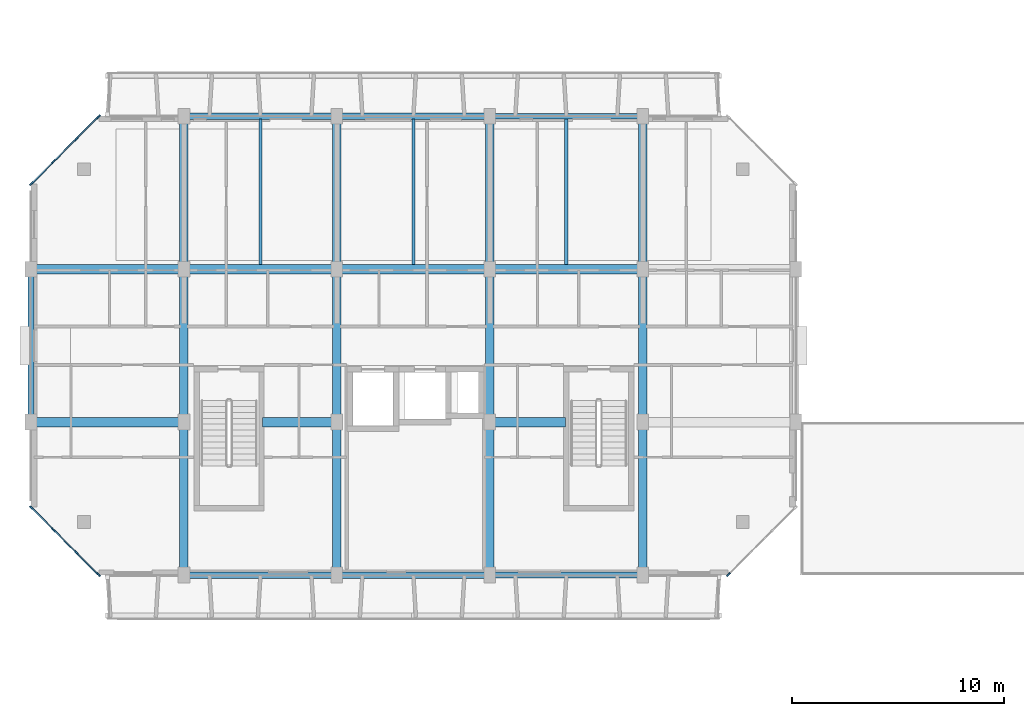
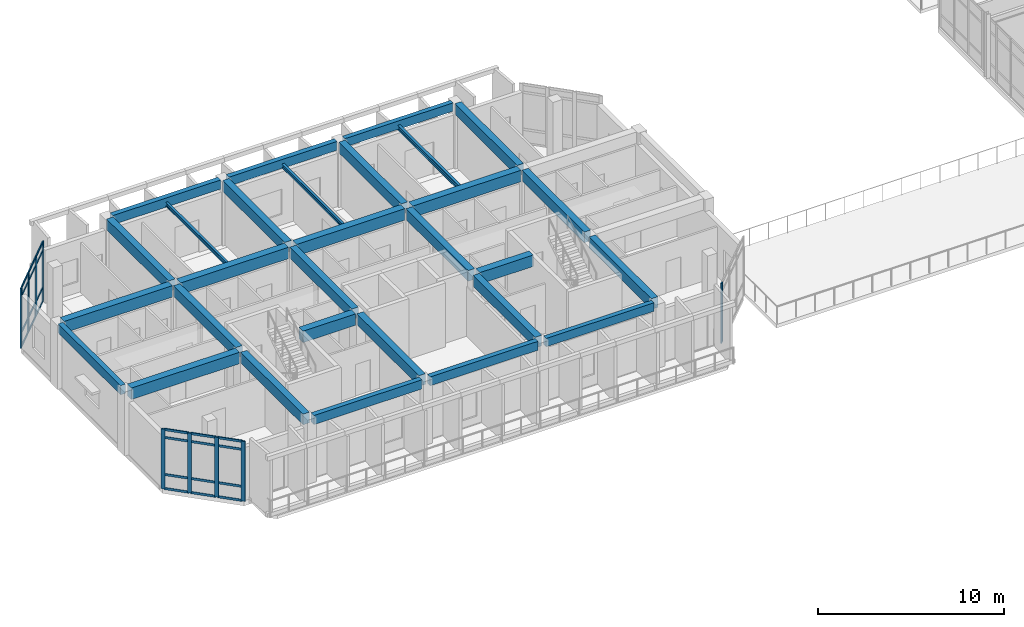
# One storey, part 26 of 85: 33 members, 29 beams, 3 elements without a shape of their own.
"""IFC4 building model written with IfcOpenShell, lengths in metres."""

from ifc_helpers import new_model, si_unit, direction, frame, origin, origin_2d, place, context, subcontext, project, spatial, rectangle, i_section, extrude, material, layer, layer_set, material_profile, profile_set, type_object, element, aggregate, save


model = new_model("IFC4")

# Units and contexts
model_context = context("Model", 3, precision=1e-05, world=origin(), true_north=direction((0.0, 1.0)))
body_context = subcontext(model_context, "Body", "Model", "MODEL_VIEW")
ifc_project = project(units=[si_unit("LENGTHUNIT", "METRE"), si_unit("AREAUNIT", "SQUARE_METRE"), si_unit("VOLUMEUNIT", "CUBIC_METRE"), si_unit("PLANEANGLEUNIT", "RADIAN"), si_unit("MASSUNIT", "GRAM", prefix="KILO")], contexts=[model_context])

# Site, building, storey
site_placement = place(None, origin())
site = spatial("IfcSite", under=ifc_project, at=site_placement, CompositionType="ELEMENT")
building_placement = place(site_placement, origin())
building = spatial("IfcBuilding", under=site, at=building_placement, Name="Ochrevale Crest", CompositionType="ELEMENT")
storey_placement = place(building_placement, frame((0.0, 0.0, 4.5)))
storey = spatial("IfcBuildingStorey", under=building, at=storey_placement, Name="L01", CompositionType="ELEMENT", Elevation=4.5)

# Beams
ifc_material_1 = material(Name="Precast concrete C50/60", Category="concrete")
ifc_material_profile_1 = material_profile(ifc_material_1, rectangle(XDim=0.39990234375, YDim=0.699951171875, at=origin_2d()), Name="PC 400x700")
ifc_profile_set_1 = profile_set([ifc_material_profile_1], Name="Precast concrete C50/60")
beam_type_1 = type_object("IfcBeamType", Name="BM-PC400x700", PredefinedType="BEAM", material=ifc_profile_set_1)
beam_1_placement = place(storey_placement, frame((7.199951171875, 72.2548828125, 3.85009765625), z_axis=(0.0, 1.0, 0.0), x_axis=(-1.0, 0.0, 0.0)))
element("IfcBeam", 1, at=beam_1_placement, inside=storey, type_object=beam_type_1, Name="Block B L01 N-S beam X=7.2", PredefinedType="BEAM", context=body_context, shape_type="SweptSolid", body=[
    extrude(rectangle(XDim=0.39990234375, YDim=0.699951171875, at=origin_2d()), origin(), (0.0, 0.0, 1.0), 6.690185546875),
])
for number, where, z_axis, x_axis, name in (
    (2, (7.199951171875, 79.455078125, 3.85009765625), (0.0, 1.0, 0.0), (-1.0, 0.0, 0.0), "Block B L01 N-S beam X=7.2"),
    (3, (7.199951171875, 86.655029296875, 3.85009765625), (0.0, 1.0, 0.0), (-1.0, 0.0, 0.0), "Block B L01 N-S beam X=7.2"),
):
    element("IfcBeam", number, at=place(storey_placement, frame(where, z_axis=z_axis, x_axis=x_axis)), inside=storey, type_object=beam_type_1, Name=name, PredefinedType="BEAM", context=body_context, shape_type="SweptSolid", body=[
        extrude(rectangle(XDim=0.39990234375, YDim=0.699951171875, at=origin_2d()), origin(), (0.0, 0.0, 1.0), 6.68994140625),
    ])
beam_2_placement = place(storey_placement, frame((14.39990234375, 72.2548828125, 3.85009765625), z_axis=(0.0, 1.0, 0.0), x_axis=(-1.0, 0.0, 0.0)))
element("IfcBeam", 4, at=beam_2_placement, inside=storey, type_object=beam_type_1, Name="Block B L01 N-S beam X=14.4", PredefinedType="BEAM", context=body_context, shape_type="SweptSolid", body=[
    extrude(rectangle(XDim=0.39990234375, YDim=0.699951171875, at=origin_2d()), origin(), (0.0, 0.0, 1.0), 6.690185546875),
])
for number, where, z_axis, x_axis, name in (
    (5, (14.39990234375, 79.455078125, 3.85009765625), (0.0, 1.0, 0.0), (-1.0, 0.0, 0.0), "Block B L01 N-S beam X=14.4"),
    (6, (14.39990234375, 86.655029296875, 3.85009765625), (0.0, 1.0, 0.0), (-1.0, 0.0, 0.0), "Block B L01 N-S beam X=14.4"),
):
    element("IfcBeam", number, at=place(storey_placement, frame(where, z_axis=z_axis, x_axis=x_axis)), inside=storey, type_object=beam_type_1, Name=name, PredefinedType="BEAM", context=body_context, shape_type="SweptSolid", body=[
        extrude(rectangle(XDim=0.39990234375, YDim=0.699951171875, at=origin_2d()), origin(), (0.0, 0.0, 1.0), 6.68994140625),
    ])
beam_3_placement = place(storey_placement, frame((21.60009765625, 72.2548828125, 3.85009765625), z_axis=(0.0, 1.0, 0.0), x_axis=(-1.0, 0.0, 0.0)))
element("IfcBeam", 7, at=beam_3_placement, inside=storey, type_object=beam_type_1, Name="Block B L01 N-S beam X=21.6", PredefinedType="BEAM", context=body_context, shape_type="SweptSolid", body=[
    extrude(rectangle(XDim=0.39990234375, YDim=0.699951171875, at=origin_2d()), origin(), (0.0, 0.0, 1.0), 6.690185546875),
])
for number, where, z_axis, x_axis, name in (
    (8, (21.60009765625, 79.455078125, 3.85009765625), (0.0, 1.0, 0.0), (-1.0, 0.0, 0.0), "Block B L01 N-S beam X=21.6"),
    (9, (21.60009765625, 86.655029296875, 3.85009765625), (0.0, 1.0, 0.0), (-1.0, 0.0, 0.0), "Block B L01 N-S beam X=21.6"),
):
    element("IfcBeam", number, at=place(storey_placement, frame(where, z_axis=z_axis, x_axis=x_axis)), inside=storey, type_object=beam_type_1, Name=name, PredefinedType="BEAM", context=body_context, shape_type="SweptSolid", body=[
        extrude(rectangle(XDim=0.39990234375, YDim=0.699951171875, at=origin_2d()), origin(), (0.0, 0.0, 1.0), 6.68994140625),
    ])
beam_4_placement = place(storey_placement, frame((28.800048828125, 72.2548828125, 3.85009765625), z_axis=(0.0, 1.0, 0.0), x_axis=(-1.0, 0.0, 0.0)))
element("IfcBeam", 10, at=beam_4_placement, inside=storey, type_object=beam_type_1, Name="Block B L01 N-S beam X=28.8", PredefinedType="BEAM", context=body_context, shape_type="SweptSolid", body=[
    extrude(rectangle(XDim=0.39990234375, YDim=0.699951171875, at=origin_2d()), origin(), (0.0, 0.0, 1.0), 6.690185546875),
])
for number, where, z_axis, x_axis, name in (
    (11, (28.800048828125, 79.455078125, 3.85009765625), (0.0, 1.0, 0.0), (-1.0, 0.0, 0.0), "Block B L01 N-S beam X=28.8"),
    (12, (28.800048828125, 86.655029296875, 3.85009765625), (0.0, 1.0, 0.0), (-1.0, 0.0, 0.0), "Block B L01 N-S beam X=28.8"),
):
    element("IfcBeam", number, at=place(storey_placement, frame(where, z_axis=z_axis, x_axis=x_axis)), inside=storey, type_object=beam_type_1, Name=name, PredefinedType="BEAM", context=body_context, shape_type="SweptSolid", body=[
        extrude(rectangle(XDim=0.39990234375, YDim=0.699951171875, at=origin_2d()), origin(), (0.0, 0.0, 1.0), 6.68994140625),
    ])
ifc_material_2 = material(Name="Concrete C50/60", Category="concrete")
ifc_material_profile_2 = material_profile(ifc_material_2, rectangle(XDim=0.449951171875, YDim=0.75, at=origin_2d()), Name="RC 450x750")
ifc_profile_set_2 = profile_set([ifc_material_profile_2], Name="Concrete C50/60")
beam_type_2 = type_object("IfcBeamType", Name="BM-PG450x750", PredefinedType="USERDEFINED", material=ifc_profile_set_2)
beam_5_placement = place(storey_placement, frame((0.25, 79.199951171875, 3.824951171875), z_axis=(1.0, 0.0, 0.0), x_axis=(0.0, 1.0, 0.0)))
element("IfcBeam", 13, at=beam_5_placement, inside=storey, type_object=beam_type_2, Name="Block B L01 E-W beam Y=79.2", ObjectType="GIRDER", PredefinedType="USERDEFINED", context=body_context, shape_type="SweptSolid", body=[
    extrude(rectangle(XDim=0.449951171875, YDim=0.75, at=origin_2d()), origin(), (0.0, 0.0, 1.0), 6.699951171875),
])
beam_6_placement = place(storey_placement, frame((10.889892578125, 79.199951171875, 3.824951171875), z_axis=(1.0, 0.0, 0.0), x_axis=(0.0, 1.0, 0.0)))
element("IfcBeam", 14, at=beam_6_placement, inside=storey, type_object=beam_type_2, Name="Block B L01 E-W beam Y=79.2", ObjectType="GIRDER", PredefinedType="USERDEFINED", context=body_context, shape_type="SweptSolid", body=[
    extrude(rectangle(XDim=0.449951171875, YDim=0.75, at=origin_2d()), origin(), (0.0, 0.0, 1.0), 3.260009765625),
])
beam_7_placement = place(storey_placement, frame((21.85009765625, 79.199951171875, 3.824951171875), z_axis=(1.0, 0.0, 0.0), x_axis=(0.0, 1.0, 0.0)))
element("IfcBeam", 15, at=beam_7_placement, inside=storey, type_object=beam_type_2, Name="Block B L01 E-W beam Y=79.2", ObjectType="GIRDER", PredefinedType="USERDEFINED", context=body_context, shape_type="SweptSolid", body=[
    extrude(rectangle(XDim=0.449951171875, YDim=0.75, at=origin_2d()), origin(), (0.0, 0.0, 1.0), 3.309814453125),
])
for number, where, z_axis, x_axis, name in (
    (16, (0.25, 86.39990234375, 3.824951171875), (1.0, 0.0, 0.0), (0.0, 1.0, 0.0), "Block B L01 E-W beam Y=86.4"),
    (17, (7.449951171875, 86.39990234375, 3.824951171875), (1.0, 0.0, 0.0), (0.0, 1.0, 0.0), "Block B L01 E-W beam Y=86.4"),
):
    element("IfcBeam", number, at=place(storey_placement, frame(where, z_axis=z_axis, x_axis=x_axis)), inside=storey, type_object=beam_type_2, Name=name, ObjectType="GIRDER", PredefinedType="USERDEFINED", context=body_context, shape_type="SweptSolid", body=[
        extrude(rectangle(XDim=0.449951171875, YDim=0.75, at=origin_2d()), origin(), (0.0, 0.0, 1.0), 6.699951171875),
    ])
beam_8_placement = place(storey_placement, frame((14.64990234375, 86.39990234375, 3.824951171875), z_axis=(1.0, 0.0, 0.0), x_axis=(0.0, 1.0, 0.0)))
element("IfcBeam", 18, at=beam_8_placement, inside=storey, type_object=beam_type_2, Name="Block B L01 E-W beam Y=86.4", ObjectType="GIRDER", PredefinedType="USERDEFINED", context=body_context, shape_type="SweptSolid", body=[
    extrude(rectangle(XDim=0.449951171875, YDim=0.75, at=origin_2d()), origin(), (0.0, 0.0, 1.0), 6.7001953125),
])
beam_9_placement = place(storey_placement, frame((21.85009765625, 86.39990234375, 3.824951171875), z_axis=(1.0, 0.0, 0.0), x_axis=(0.0, 1.0, 0.0)))
element("IfcBeam", 19, at=beam_9_placement, inside=storey, type_object=beam_type_2, Name="Block B L01 E-W beam Y=86.4", ObjectType="GIRDER", PredefinedType="USERDEFINED", context=body_context, shape_type="SweptSolid", body=[
    extrude(rectangle(XDim=0.449951171875, YDim=0.75, at=origin_2d()), origin(), (0.0, 0.0, 1.0), 6.699951171875),
])
ifc_material_3 = material(Name="Precast concrete C40/50", Category="concrete")
ifc_material_profile_3 = material_profile(ifc_material_3, rectangle(XDim=0.280029296875, YDim=0.550048828125, at=origin_2d()), Name="PC 280x550")
ifc_profile_set_3 = profile_set([ifc_material_profile_3], Name="Precast concrete C40/50")
beam_type_3 = type_object("IfcBeamType", Name="BM-SP280x550", PredefinedType="SPANDREL", material=ifc_profile_set_3)
for number, where, z_axis, x_axis, name in (
    (20, (21.85009765625, 72.0, 3.925048828125), (1.0, 0.0, 0.0), (0.0, 1.0, 0.0), "Block B L01 E-W beam Y=72.0"),
    (21, (21.85009765625, 93.60009765625, 3.925048828125), (1.0, 0.0, 0.0), (0.0, 1.0, 0.0), "Block B L01 E-W beam Y=93.6"),
):
    element("IfcBeam", number, at=place(storey_placement, frame(where, z_axis=z_axis, x_axis=x_axis)), inside=storey, type_object=beam_type_3, Name=name, PredefinedType="SPANDREL", context=body_context, shape_type="SweptSolid", body=[
        extrude(rectangle(XDim=0.280029296875, YDim=0.550048828125, at=origin_2d()), origin(), (0.0, 0.0, 1.0), 6.699951171875),
    ])
ifc_material_profile_4 = material_profile(ifc_material_3, rectangle(XDim=0.300048828125, YDim=0.580078125, at=origin_2d()), Name="PC 300x580")
ifc_profile_set_4 = profile_set([ifc_material_profile_4], Name="Precast concrete C40/50")
beam_type_4 = type_object("IfcBeamType", Name="BM-SP300x580", PredefinedType="SPANDREL", material=ifc_profile_set_4)
for number, where, z_axis, x_axis, name in (
    (22, (14.64990234375, 72.0, 3.909912109375), (1.0, 0.0, 0.0), (0.0, 1.0, 0.0), "Block B L01 E-W beam Y=72.0"),
    (23, (14.64990234375, 93.60009765625, 3.909912109375), (1.0, 0.0, 0.0), (0.0, 1.0, 0.0), "Block B L01 E-W beam Y=93.6"),
):
    element("IfcBeam", number, at=place(storey_placement, frame(where, z_axis=z_axis, x_axis=x_axis)), inside=storey, type_object=beam_type_4, Name=name, PredefinedType="SPANDREL", context=body_context, shape_type="SweptSolid", body=[
        extrude(rectangle(XDim=0.300048828125, YDim=0.580078125, at=origin_2d()), origin(), (0.0, 0.0, 1.0), 6.7001953125),
    ])
ifc_material_profile_5 = material_profile(ifc_material_3, rectangle(XDim=0.300048828125, YDim=0.60009765625, at=origin_2d()), Name="PC 300x600")
ifc_profile_set_5 = profile_set([ifc_material_profile_5], Name="Precast concrete C40/50")
beam_type_5 = type_object("IfcBeamType", Name="BM-SP300x600", PredefinedType="SPANDREL", material=ifc_profile_set_5)
for number, where, z_axis, x_axis, name in (
    (24, (7.449951171875, 72.0, 3.89990234375), (1.0, 0.0, 0.0), (0.0, 1.0, 0.0), "Block B L01 E-W beam Y=72.0"),
    (25, (7.449951171875, 93.60009765625, 3.89990234375), (1.0, 0.0, 0.0), (0.0, 1.0, 0.0), "Block B L01 E-W beam Y=93.6"),
):
    element("IfcBeam", number, at=place(storey_placement, frame(where, z_axis=z_axis, x_axis=x_axis)), inside=storey, type_object=beam_type_5, Name=name, PredefinedType="SPANDREL", context=body_context, shape_type="SweptSolid", body=[
        extrude(rectangle(XDim=0.300048828125, YDim=0.60009765625, at=origin_2d()), origin(), (0.0, 0.0, 1.0), 6.699951171875),
    ])
beam_10_placement = place(storey_placement, frame((0.0, 79.455078125, 3.89990234375), z_axis=(0.0, 1.0, 0.0), x_axis=(-1.0, 0.0, 0.0)))
element("IfcBeam", 26, at=beam_10_placement, inside=storey, type_object=beam_type_5, Name="Block B L01 N-S beam X=0.0", PredefinedType="SPANDREL", context=body_context, shape_type="SweptSolid", body=[
    extrude(rectangle(XDim=0.300048828125, YDim=0.60009765625, at=origin_2d()), origin(), (0.0, 0.0, 1.0), 6.68994140625),
])
ifc_material_4 = material(Name="Steel S355", Category="steel")
ifc_material_profile_6 = material_profile(ifc_material_4, i_section(OverallWidth=0.14599609375, OverallDepth=0.251708984375, WebThickness=0.006103515625, FlangeThickness=0.008544921875, FilletRadius=0.0087890625, at=origin_2d()), Name="250UB31.4")
ifc_profile_set_6 = profile_set([ifc_material_profile_6], Name="Steel S355")
beam_type_6 = type_object("IfcBeamType", Name="BM-UB250A", PredefinedType="JOIST", material=ifc_profile_set_6)
beam_11_placement = place(storey_placement, frame((10.800048828125, 86.613037109375, 3.79931640625), z_axis=(0.0, 1.0, 0.0), x_axis=(-1.0, 0.0, 0.0)))
element("IfcBeam", 27, at=beam_11_placement, inside=storey, type_object=beam_type_6, Name="Block B L01 composite plank trimmer beam 2", PredefinedType="JOIST", context=body_context, shape_type="SweptSolid", body=[
    extrude(i_section(OverallWidth=0.14599609375, OverallDepth=0.251708984375, WebThickness=0.006103515625, FlangeThickness=0.008544921875, FilletRadius=0.0087890625, at=origin_2d()), origin(), (0.0, 0.0, 1.0), 6.848876953125),
])
ifc_material_profile_7 = material_profile(ifc_material_4, i_section(OverallWidth=0.146484375, OverallDepth=0.256103515625, WebThickness=0.00634765625, FlangeThickness=0.010986328125, FilletRadius=0.0087890625, at=origin_2d()), Name="250UB37.3")
ifc_profile_set_7 = profile_set([ifc_material_profile_7], Name="Steel S355")
beam_type_7 = type_object("IfcBeamType", Name="BM-UB250B", PredefinedType="JOIST", material=ifc_profile_set_7)
beam_12_placement = place(storey_placement, frame((18.0, 86.613037109375, 3.796875), z_axis=(0.0, 1.0, 0.0), x_axis=(-1.0, 0.0, 0.0)))
element("IfcBeam", 28, at=beam_12_placement, inside=storey, type_object=beam_type_7, Name="Block B L01 composite plank trimmer beam 3", PredefinedType="JOIST", context=body_context, shape_type="SweptSolid", body=[
    extrude(i_section(OverallWidth=0.146484375, OverallDepth=0.256103515625, WebThickness=0.00634765625, FlangeThickness=0.010986328125, FilletRadius=0.0087890625, at=origin_2d()), origin(), (0.0, 0.0, 1.0), 6.848876953125),
])
ifc_material_profile_8 = material_profile(ifc_material_4, i_section(OverallWidth=0.1650390625, OverallDepth=0.3037109375, WebThickness=0.006103515625, FlangeThickness=0.01025390625, FilletRadius=0.011474609375, at=origin_2d()), Name="310UB40.4")
ifc_profile_set_8 = profile_set([ifc_material_profile_8], Name="Steel S355")
beam_type_8 = type_object("IfcBeamType", Name="BM-UB310A", PredefinedType="BEAM", material=ifc_profile_set_8)
beam_13_placement = place(storey_placement, frame((25.199951171875, 86.613037109375, 3.773193359375), z_axis=(0.0, 1.0, 0.0), x_axis=(-1.0, 0.0, 0.0)))
element("IfcBeam", 29, at=beam_13_placement, inside=storey, type_object=beam_type_8, Name="Block B L01 composite plank trimmer beam 4", PredefinedType="BEAM", context=body_context, shape_type="SweptSolid", body=[
    extrude(i_section(OverallWidth=0.1650390625, OverallDepth=0.3037109375, WebThickness=0.006103515625, FlangeThickness=0.01025390625, FilletRadius=0.011474609375, at=origin_2d()), origin(), (0.0, 0.0, 1.0), 6.85888671875),
])

# Curtain wall, member
ifc_material_5 = material(Name="Anodised aluminium 6063-T5", Category="aluminium")
ifc_layer = layer(ifc_material_5, 0.14990234375)
ifc_layer_set = layer_set([ifc_layer], Name="Anodised aluminium 6063-T5")
curtain_wall_type = type_object("IfcCurtainWallType", Name="CW-WG-360x385", PredefinedType="NOTDEFINED", material=ifc_layer_set)
curtain_wall_1_placement = place(storey_placement, origin())
curtain_wall_1 = element("IfcCurtainWall", 30, at=curtain_wall_1_placement, inside=storey, type_object=curtain_wall_type, Name="Block B L01 chamfered corner wintergarden curtain wall 2", PredefinedType="NOTDEFINED")
ifc_material_profile_9 = material_profile(ifc_material_5, rectangle(XDim=0.074951171875, YDim=0.219970703125, at=origin_2d()), Name="ALU 75x220")
ifc_profile_set_9 = profile_set([ifc_material_profile_9], Name="Anodised aluminium 6063-T5")
member_type_1 = type_object("IfcMemberType", Name="CW-MUL-75x220", PredefinedType="MULLION", material=ifc_profile_set_9)
member_1_placement = place(storey_placement, frame((32.826416015625, 72.026611328125, 0.0), z_axis=(0.0, 0.0, 1.0), x_axis=(-0.707106781187, 0.707106781187, 0.0)))
member_1 = element("IfcMember", 31, at=member_1_placement, type_object=member_type_1, Name="CW20 mullion 1", PredefinedType="MULLION", context=body_context, shape_type="SweptSolid", body=[
    extrude(rectangle(XDim=0.074951171875, YDim=0.219970703125, at=origin_2d()), origin(), (0.0, 0.0, 1.0), 3.925048828125),
])
aggregate(curtain_wall_1, [member_1])

# Curtain wall, members
curtain_wall_2_placement = place(storey_placement, origin())
curtain_wall_2 = element("IfcCurtainWall", 32, at=curtain_wall_2_placement, inside=storey, type_object=curtain_wall_type, Name="Block B L01 chamfered corner wintergarden curtain wall 6", PredefinedType="NOTDEFINED")
member_2_placement = place(storey_placement, frame((3.173583984375, 93.573486328125, 0.0), z_axis=(0.0, 0.0, 1.0), x_axis=(0.707106781187, -0.707106781187, 0.0)))
member_2 = element("IfcMember", 33, at=member_2_placement, type_object=member_type_1, Name="CW20 mullion 1", PredefinedType="MULLION", context=body_context, shape_type="SweptSolid", body=[
    extrude(rectangle(XDim=0.074951171875, YDim=0.219970703125, at=origin_2d()), origin(), (0.0, 0.0, 1.0), 3.925048828125),
])
member_3_placement = place(storey_placement, frame((2.13330078125, 92.533447265625, 0.0), z_axis=(0.0, 0.0, 1.0), x_axis=(0.707106781187, -0.707106781187, 0.0)))
member_3 = element("IfcMember", 34, at=member_3_placement, type_object=member_type_1, Name="CW20 mullion 2", PredefinedType="MULLION", context=body_context, shape_type="SweptSolid", body=[
    extrude(rectangle(XDim=0.074951171875, YDim=0.219970703125, at=origin_2d()), origin(), (0.0, 0.0, 1.0), 3.925048828125),
])
member_4_placement = place(storey_placement, frame((1.066650390625, 91.466552734375, 0.0), z_axis=(0.0, 0.0, 1.0), x_axis=(0.707106781187, -0.707106781187, 0.0)))
member_4 = element("IfcMember", 35, at=member_4_placement, type_object=member_type_1, Name="CW20 mullion 3", PredefinedType="MULLION", context=body_context, shape_type="SweptSolid", body=[
    extrude(rectangle(XDim=0.074951171875, YDim=0.219970703125, at=origin_2d()), origin(), (0.0, 0.0, 1.0), 3.925048828125),
])
member_5_placement = place(storey_placement, frame((0.026611328125, 90.426513671875, 0.0), z_axis=(0.0, 0.0, 1.0), x_axis=(0.707106781187, -0.707106781187, 0.0)))
member_5 = element("IfcMember", 36, at=member_5_placement, type_object=member_type_1, Name="CW20 mullion 4", PredefinedType="MULLION", context=body_context, shape_type="SweptSolid", body=[
    extrude(rectangle(XDim=0.074951171875, YDim=0.219970703125, at=origin_2d()), origin(), (0.0, 0.0, 1.0), 3.925048828125),
])

curtain_wall_3_placement = place(storey_placement, origin())
curtain_wall_3 = element("IfcCurtainWall", 37, at=curtain_wall_3_placement, inside=storey, type_object=curtain_wall_type, Name="Block B L01 chamfered corner wintergarden curtain wall 8", PredefinedType="NOTDEFINED")
member_6_placement = place(storey_placement, frame((0.026611328125, 75.173583984375, 0.0), z_axis=(0.0, 0.0, 1.0), x_axis=(0.707106781187, 0.707106781187, 0.0)))
member_6 = element("IfcMember", 38, at=member_6_placement, type_object=member_type_1, Name="CW20 mullion 1", PredefinedType="MULLION", context=body_context, shape_type="SweptSolid", body=[
    extrude(rectangle(XDim=0.074951171875, YDim=0.219970703125, at=origin_2d()), origin(), (0.0, 0.0, 1.0), 3.925048828125),
])
member_7_placement = place(storey_placement, frame((1.066650390625, 74.13330078125, 0.0), z_axis=(0.0, 0.0, 1.0), x_axis=(0.707106781187, 0.707106781187, 0.0)))
member_7 = element("IfcMember", 39, at=member_7_placement, type_object=member_type_1, Name="CW20 mullion 2", PredefinedType="MULLION", context=body_context, shape_type="SweptSolid", body=[
    extrude(rectangle(XDim=0.074951171875, YDim=0.219970703125, at=origin_2d()), origin(), (0.0, 0.0, 1.0), 3.925048828125),
])
member_8_placement = place(storey_placement, frame((2.13330078125, 73.066650390625, 0.0), z_axis=(0.0, 0.0, 1.0), x_axis=(0.707106781187, 0.707106781187, 0.0)))
member_8 = element("IfcMember", 40, at=member_8_placement, type_object=member_type_1, Name="CW20 mullion 3", PredefinedType="MULLION", context=body_context, shape_type="SweptSolid", body=[
    extrude(rectangle(XDim=0.074951171875, YDim=0.219970703125, at=origin_2d()), origin(), (0.0, 0.0, 1.0), 3.925048828125),
])
member_9_placement = place(storey_placement, frame((3.173583984375, 72.026611328125, 0.0), z_axis=(0.0, 0.0, 1.0), x_axis=(0.707106781187, 0.707106781187, 0.0)))
member_9 = element("IfcMember", 41, at=member_9_placement, type_object=member_type_1, Name="CW20 mullion 4", PredefinedType="MULLION", context=body_context, shape_type="SweptSolid", body=[
    extrude(rectangle(XDim=0.074951171875, YDim=0.219970703125, at=origin_2d()), origin(), (0.0, 0.0, 1.0), 3.925048828125),
])

# Member
ifc_material_profile_10 = material_profile(ifc_material_5, rectangle(XDim=0.06005859375, YDim=0.14990234375, at=origin_2d()), Name="ALU 60x150")
ifc_profile_set_10 = profile_set([ifc_material_profile_10], Name="Anodised aluminium 6063-T5")
member_type_2 = type_object("IfcMemberType", Name="CW-TRN-60x150", PredefinedType="USERDEFINED", material=ifc_profile_set_10)
member_10_placement = place(storey_placement, frame((3.14697265625, 93.546875, 0.030029296875), z_axis=(-0.707106781187, -0.707106781187, 0.0), x_axis=(0.707106781187, -0.707106781187, 0.0)))
member_10 = element("IfcMember", 42, at=member_10_placement, type_object=member_type_2, Name="CW20 transom 1.1", ObjectType="TRANSOM", PredefinedType="USERDEFINED", context=body_context, shape_type="SweptSolid", body=[
    extrude(rectangle(XDim=0.06005859375, YDim=0.14990234375, at=origin_2d()), origin(), (0.0, 0.0, 1.0), 1.39599609375),
])

member_11_placement = place(storey_placement, frame((3.14697265625, 93.546875, 0.949951171875), z_axis=(-0.707106781187, -0.707106781187, 0.0), x_axis=(0.707106781187, -0.707106781187, 0.0)))
member_11 = element("IfcMember", 43, at=member_11_placement, type_object=member_type_2, Name="CW20 transom 1.2", ObjectType="TRANSOM", PredefinedType="USERDEFINED", context=body_context, shape_type="SweptSolid", body=[
    extrude(rectangle(XDim=0.06005859375, YDim=0.14990234375, at=origin_2d()), origin(), (0.0, 0.0, 1.0), 1.39599609375),
])

member_12_placement = place(storey_placement, frame((3.14697265625, 93.546875, 3.375), z_axis=(-0.707106781187, -0.707106781187, 0.0), x_axis=(0.707106781187, -0.707106781187, 0.0)))
member_12 = element("IfcMember", 44, at=member_12_placement, type_object=member_type_2, Name="CW20 transom 1.3", ObjectType="TRANSOM", PredefinedType="USERDEFINED", context=body_context, shape_type="SweptSolid", body=[
    extrude(rectangle(XDim=0.06005859375, YDim=0.14990234375, at=origin_2d()), origin(), (0.0, 0.0, 1.0), 1.39599609375),
])

member_13_placement = place(storey_placement, frame((3.14697265625, 93.546875, 3.89501953125), z_axis=(-0.707106781187, -0.707106781187, 0.0), x_axis=(0.707106781187, -0.707106781187, 0.0)))
member_13 = element("IfcMember", 45, at=member_13_placement, type_object=member_type_2, Name="CW20 transom 1.4", ObjectType="TRANSOM", PredefinedType="USERDEFINED", context=body_context, shape_type="SweptSolid", body=[
    extrude(rectangle(XDim=0.06005859375, YDim=0.14990234375, at=origin_2d()), origin(), (0.0, 0.0, 1.0), 1.39599609375),
])

member_14_placement = place(storey_placement, frame((2.10693359375, 92.5068359375, 0.030029296875), z_axis=(-0.707106781187, -0.707106781187, 0.0), x_axis=(0.707106781187, -0.707106781187, 0.0)))
member_14 = element("IfcMember", 46, at=member_14_placement, type_object=member_type_2, Name="CW20 transom 2.1", ObjectType="TRANSOM", PredefinedType="USERDEFINED", context=body_context, shape_type="SweptSolid", body=[
    extrude(rectangle(XDim=0.06005859375, YDim=0.14990234375, at=origin_2d()), origin(), (0.0, 0.0, 1.0), 1.43359375),
])

member_15_placement = place(storey_placement, frame((2.10693359375, 92.5068359375, 0.949951171875), z_axis=(-0.707106781187, -0.707106781187, 0.0), x_axis=(0.707106781187, -0.707106781187, 0.0)))
member_15 = element("IfcMember", 47, at=member_15_placement, type_object=member_type_2, Name="CW20 transom 2.2", ObjectType="TRANSOM", PredefinedType="USERDEFINED", context=body_context, shape_type="SweptSolid", body=[
    extrude(rectangle(XDim=0.06005859375, YDim=0.14990234375, at=origin_2d()), origin(), (0.0, 0.0, 1.0), 1.43359375),
])

member_16_placement = place(storey_placement, frame((2.10693359375, 92.5068359375, 3.375), z_axis=(-0.707106781187, -0.707106781187, 0.0), x_axis=(0.707106781187, -0.707106781187, 0.0)))
member_16 = element("IfcMember", 48, at=member_16_placement, type_object=member_type_2, Name="CW20 transom 2.3", ObjectType="TRANSOM", PredefinedType="USERDEFINED", context=body_context, shape_type="SweptSolid", body=[
    extrude(rectangle(XDim=0.06005859375, YDim=0.14990234375, at=origin_2d()), origin(), (0.0, 0.0, 1.0), 1.43359375),
])

member_17_placement = place(storey_placement, frame((2.10693359375, 92.5068359375, 3.89501953125), z_axis=(-0.707106781187, -0.707106781187, 0.0), x_axis=(0.707106781187, -0.707106781187, 0.0)))
member_17 = element("IfcMember", 49, at=member_17_placement, type_object=member_type_2, Name="CW20 transom 2.4", ObjectType="TRANSOM", PredefinedType="USERDEFINED", context=body_context, shape_type="SweptSolid", body=[
    extrude(rectangle(XDim=0.06005859375, YDim=0.14990234375, at=origin_2d()), origin(), (0.0, 0.0, 1.0), 1.43359375),
])

member_18_placement = place(storey_placement, frame((1.0400390625, 91.440185546875, 0.030029296875), z_axis=(-0.707106781187, -0.707106781187, 0.0), x_axis=(0.707106781187, -0.707106781187, 0.0)))
member_18 = element("IfcMember", 50, at=member_18_placement, type_object=member_type_2, Name="CW20 transom 3.1", ObjectType="TRANSOM", PredefinedType="USERDEFINED", context=body_context, shape_type="SweptSolid", body=[
    extrude(rectangle(XDim=0.06005859375, YDim=0.14990234375, at=origin_2d()), origin(), (0.0, 0.0, 1.0), 1.39599609375),
])

member_19_placement = place(storey_placement, frame((1.0400390625, 91.440185546875, 0.949951171875), z_axis=(-0.707106781187, -0.707106781187, 0.0), x_axis=(0.707106781187, -0.707106781187, 0.0)))
member_19 = element("IfcMember", 51, at=member_19_placement, type_object=member_type_2, Name="CW20 transom 3.2", ObjectType="TRANSOM", PredefinedType="USERDEFINED", context=body_context, shape_type="SweptSolid", body=[
    extrude(rectangle(XDim=0.06005859375, YDim=0.14990234375, at=origin_2d()), origin(), (0.0, 0.0, 1.0), 1.39599609375),
])

member_20_placement = place(storey_placement, frame((1.0400390625, 91.440185546875, 3.375), z_axis=(-0.707106781187, -0.707106781187, 0.0), x_axis=(0.707106781187, -0.707106781187, 0.0)))
member_20 = element("IfcMember", 52, at=member_20_placement, type_object=member_type_2, Name="CW20 transom 3.3", ObjectType="TRANSOM", PredefinedType="USERDEFINED", context=body_context, shape_type="SweptSolid", body=[
    extrude(rectangle(XDim=0.06005859375, YDim=0.14990234375, at=origin_2d()), origin(), (0.0, 0.0, 1.0), 1.39599609375),
])

member_21_placement = place(storey_placement, frame((1.0400390625, 91.440185546875, 3.89501953125), z_axis=(-0.707106781187, -0.707106781187, 0.0), x_axis=(0.707106781187, -0.707106781187, 0.0)))
member_21 = element("IfcMember", 53, at=member_21_placement, type_object=member_type_2, Name="CW20 transom 3.4", ObjectType="TRANSOM", PredefinedType="USERDEFINED", context=body_context, shape_type="SweptSolid", body=[
    extrude(rectangle(XDim=0.06005859375, YDim=0.14990234375, at=origin_2d()), origin(), (0.0, 0.0, 1.0), 1.39599609375),
])

aggregate(curtain_wall_2, [member_2, member_3, member_4, member_5, member_10, member_11, member_12, member_13, member_14, member_15, member_16, member_17, member_18, member_19, member_20, member_21])

member_22_placement = place(storey_placement, frame((0.052978515625, 75.14697265625, 0.030029296875), z_axis=(0.707106781187, -0.707106781187, 0.0), x_axis=(0.707106781187, 0.707106781187, 0.0)))
member_22 = element("IfcMember", 54, at=member_22_placement, type_object=member_type_2, Name="CW20 transom 1.1", ObjectType="TRANSOM", PredefinedType="USERDEFINED", context=body_context, shape_type="SweptSolid", body=[
    extrude(rectangle(XDim=0.06005859375, YDim=0.14990234375, at=origin_2d()), origin(), (0.0, 0.0, 1.0), 1.39599609375),
])

member_23_placement = place(storey_placement, frame((0.052978515625, 75.14697265625, 0.949951171875), z_axis=(0.707106781187, -0.707106781187, 0.0), x_axis=(0.707106781187, 0.707106781187, 0.0)))
member_23 = element("IfcMember", 55, at=member_23_placement, type_object=member_type_2, Name="CW20 transom 1.2", ObjectType="TRANSOM", PredefinedType="USERDEFINED", context=body_context, shape_type="SweptSolid", body=[
    extrude(rectangle(XDim=0.06005859375, YDim=0.14990234375, at=origin_2d()), origin(), (0.0, 0.0, 1.0), 1.39599609375),
])

member_24_placement = place(storey_placement, frame((0.052978515625, 75.14697265625, 3.375), z_axis=(0.707106781187, -0.707106781187, 0.0), x_axis=(0.707106781187, 0.707106781187, 0.0)))
member_24 = element("IfcMember", 56, at=member_24_placement, type_object=member_type_2, Name="CW20 transom 1.3", ObjectType="TRANSOM", PredefinedType="USERDEFINED", context=body_context, shape_type="SweptSolid", body=[
    extrude(rectangle(XDim=0.06005859375, YDim=0.14990234375, at=origin_2d()), origin(), (0.0, 0.0, 1.0), 1.39599609375),
])

member_25_placement = place(storey_placement, frame((0.052978515625, 75.14697265625, 3.89501953125), z_axis=(0.707106781187, -0.707106781187, 0.0), x_axis=(0.707106781187, 0.707106781187, 0.0)))
member_25 = element("IfcMember", 57, at=member_25_placement, type_object=member_type_2, Name="CW20 transom 1.4", ObjectType="TRANSOM", PredefinedType="USERDEFINED", context=body_context, shape_type="SweptSolid", body=[
    extrude(rectangle(XDim=0.06005859375, YDim=0.14990234375, at=origin_2d()), origin(), (0.0, 0.0, 1.0), 1.39599609375),
])

member_26_placement = place(storey_placement, frame((1.09326171875, 74.10693359375, 0.030029296875), z_axis=(0.707106781187, -0.707106781187, 0.0), x_axis=(0.707106781187, 0.707106781187, 0.0)))
member_26 = element("IfcMember", 58, at=member_26_placement, type_object=member_type_2, Name="CW20 transom 2.1", ObjectType="TRANSOM", PredefinedType="USERDEFINED", context=body_context, shape_type="SweptSolid", body=[
    extrude(rectangle(XDim=0.06005859375, YDim=0.14990234375, at=origin_2d()), origin(), (0.0, 0.0, 1.0), 1.43359375),
])

member_27_placement = place(storey_placement, frame((1.09326171875, 74.10693359375, 0.949951171875), z_axis=(0.707106781187, -0.707106781187, 0.0), x_axis=(0.707106781187, 0.707106781187, 0.0)))
member_27 = element("IfcMember", 59, at=member_27_placement, type_object=member_type_2, Name="CW20 transom 2.2", ObjectType="TRANSOM", PredefinedType="USERDEFINED", context=body_context, shape_type="SweptSolid", body=[
    extrude(rectangle(XDim=0.06005859375, YDim=0.14990234375, at=origin_2d()), origin(), (0.0, 0.0, 1.0), 1.43359375),
])

member_28_placement = place(storey_placement, frame((1.09326171875, 74.10693359375, 3.375), z_axis=(0.707106781187, -0.707106781187, 0.0), x_axis=(0.707106781187, 0.707106781187, 0.0)))
member_28 = element("IfcMember", 60, at=member_28_placement, type_object=member_type_2, Name="CW20 transom 2.3", ObjectType="TRANSOM", PredefinedType="USERDEFINED", context=body_context, shape_type="SweptSolid", body=[
    extrude(rectangle(XDim=0.06005859375, YDim=0.14990234375, at=origin_2d()), origin(), (0.0, 0.0, 1.0), 1.43359375),
])

member_29_placement = place(storey_placement, frame((1.09326171875, 74.10693359375, 3.89501953125), z_axis=(0.707106781187, -0.707106781187, 0.0), x_axis=(0.707106781187, 0.707106781187, 0.0)))
member_29 = element("IfcMember", 61, at=member_29_placement, type_object=member_type_2, Name="CW20 transom 2.4", ObjectType="TRANSOM", PredefinedType="USERDEFINED", context=body_context, shape_type="SweptSolid", body=[
    extrude(rectangle(XDim=0.06005859375, YDim=0.14990234375, at=origin_2d()), origin(), (0.0, 0.0, 1.0), 1.43359375),
])

member_30_placement = place(storey_placement, frame((2.159912109375, 73.0400390625, 0.030029296875), z_axis=(0.707106781187, -0.707106781187, 0.0), x_axis=(0.707106781187, 0.707106781187, 0.0)))
member_30 = element("IfcMember", 62, at=member_30_placement, type_object=member_type_2, Name="CW20 transom 3.1", ObjectType="TRANSOM", PredefinedType="USERDEFINED", context=body_context, shape_type="SweptSolid", body=[
    extrude(rectangle(XDim=0.06005859375, YDim=0.14990234375, at=origin_2d()), origin(), (0.0, 0.0, 1.0), 1.39599609375),
])

member_31_placement = place(storey_placement, frame((2.159912109375, 73.0400390625, 0.949951171875), z_axis=(0.707106781187, -0.707106781187, 0.0), x_axis=(0.707106781187, 0.707106781187, 0.0)))
member_31 = element("IfcMember", 63, at=member_31_placement, type_object=member_type_2, Name="CW20 transom 3.2", ObjectType="TRANSOM", PredefinedType="USERDEFINED", context=body_context, shape_type="SweptSolid", body=[
    extrude(rectangle(XDim=0.06005859375, YDim=0.14990234375, at=origin_2d()), origin(), (0.0, 0.0, 1.0), 1.39599609375),
])

member_32_placement = place(storey_placement, frame((2.159912109375, 73.0400390625, 3.375), z_axis=(0.707106781187, -0.707106781187, 0.0), x_axis=(0.707106781187, 0.707106781187, 0.0)))
member_32 = element("IfcMember", 64, at=member_32_placement, type_object=member_type_2, Name="CW20 transom 3.3", ObjectType="TRANSOM", PredefinedType="USERDEFINED", context=body_context, shape_type="SweptSolid", body=[
    extrude(rectangle(XDim=0.06005859375, YDim=0.14990234375, at=origin_2d()), origin(), (0.0, 0.0, 1.0), 1.39599609375),
])

member_33_placement = place(storey_placement, frame((2.159912109375, 73.0400390625, 3.89501953125), z_axis=(0.707106781187, -0.707106781187, 0.0), x_axis=(0.707106781187, 0.707106781187, 0.0)))
member_33 = element("IfcMember", 65, at=member_33_placement, type_object=member_type_2, Name="CW20 transom 3.4", ObjectType="TRANSOM", PredefinedType="USERDEFINED", context=body_context, shape_type="SweptSolid", body=[
    extrude(rectangle(XDim=0.06005859375, YDim=0.14990234375, at=origin_2d()), origin(), (0.0, 0.0, 1.0), 1.39599609375),
])

aggregate(curtain_wall_3, [member_6, member_7, member_8, member_9, member_22, member_23, member_24, member_25, member_26, member_27, member_28, member_29, member_30, member_31, member_32, member_33])

save(model, "model.ifc")
